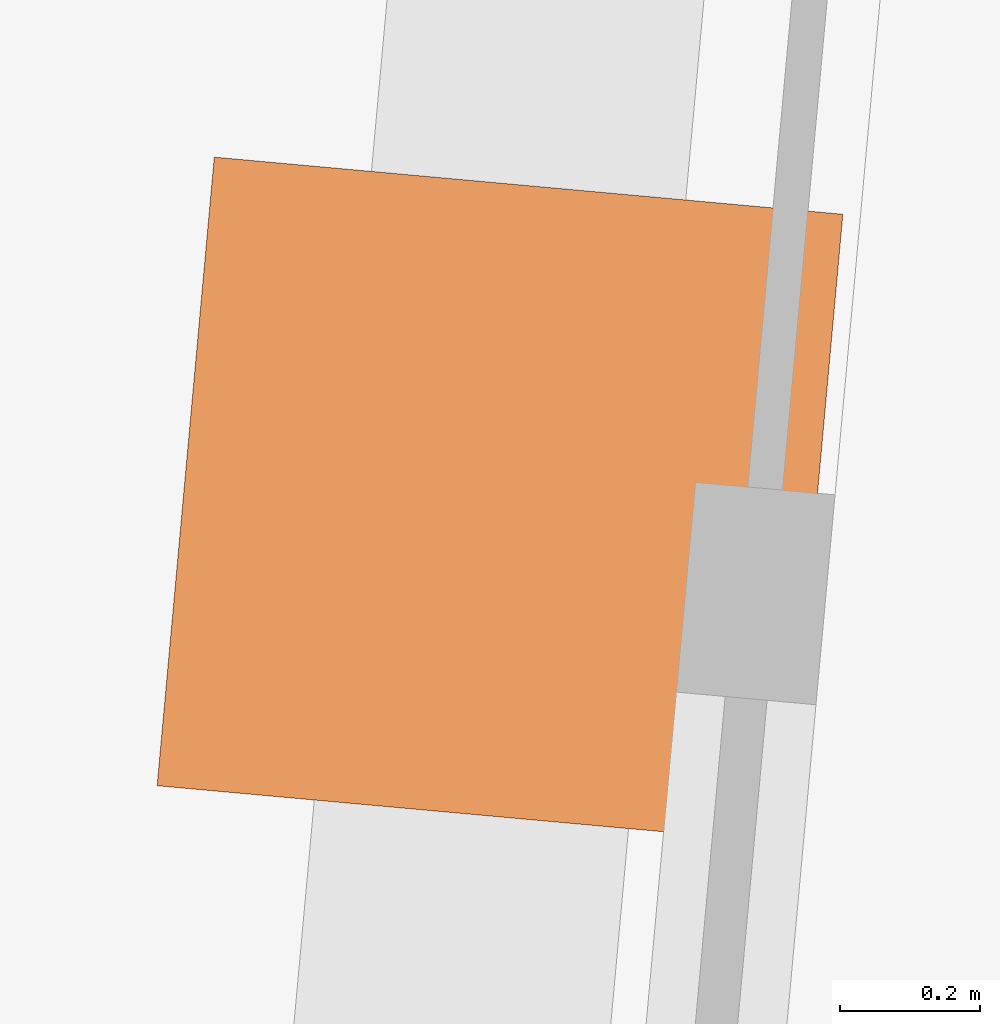
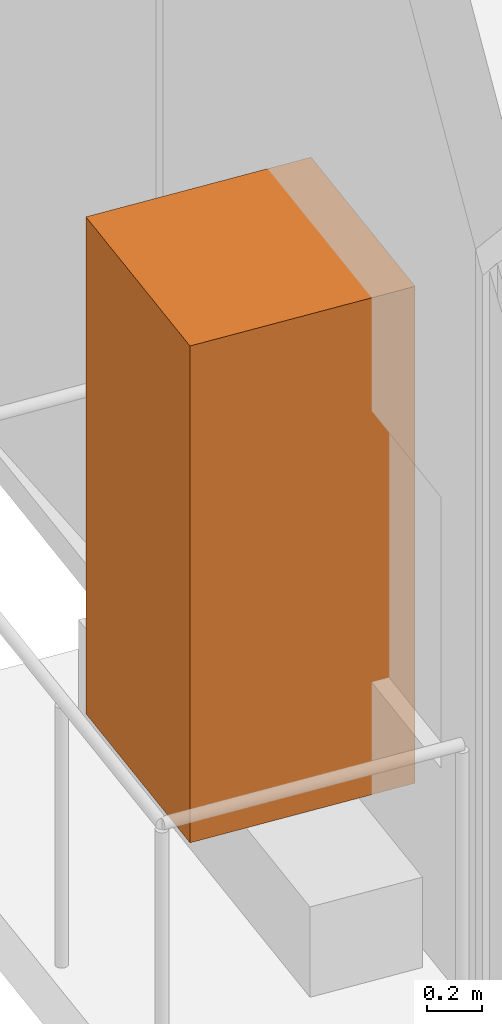
# One storey, part 14 of 14: 1 geographic element.
"""IFC4 building model written with IfcOpenShell, lengths in metres."""

from ifc_helpers import new_model, si_unit, direction, frame, origin, origin_2d, place, context, subcontext, project, spatial, rectangle, extrude, material, type_object, element, save


model = new_model("IFC4")

# Units and contexts
model_context = context("Model", 3, precision=1e-05, world=origin(), true_north=direction((0.0, 1.0)))
body_context = subcontext(model_context, "Body", "Model", "MODEL_VIEW")
ifc_project = project(units=[si_unit("LENGTHUNIT", "METRE"), si_unit("AREAUNIT", "SQUARE_METRE"), si_unit("VOLUMEUNIT", "CUBIC_METRE"), si_unit("PLANEANGLEUNIT", "RADIAN"), si_unit("MASSUNIT", "GRAM", prefix="KILO")], contexts=[model_context])

# Site, building, storey
site_placement = place(None, origin())
site = spatial("IfcSite", under=ifc_project, at=site_placement, CompositionType="ELEMENT")
building_placement = place(site_placement, origin())
building = spatial("IfcBuilding", under=site, at=building_placement, Name="Verdant Reach Tower", CompositionType="ELEMENT")
storey_placement = place(building_placement, frame((0.0, 0.0, 9.0)))
storey = spatial("IfcBuildingStorey", under=building, at=storey_placement, Name="L01", CompositionType="ELEMENT", Elevation=9.0)

# Geographic element
ifc_material = material(Name="Planting")
geographic_element_type = type_object("IfcGeographicElementType", Name="EN-TREE", PredefinedType="USERDEFINED", material=ifc_material)
geographic_element_placement = place(storey_placement, frame((-24.09814453125, 10.16796875, 0.39990234375), z_axis=(0.0, 0.0, 1.0), x_axis=(-0.090535746047, -0.995893206467, 0.0)))
element("IfcGeographicElement", 1, at=geographic_element_placement, inside=storey, type_object=geographic_element_type, Name="Balcony tree, Yellow trumpet tree (Handroanthus albus), L01 1", ObjectType="TREE", PredefinedType="USERDEFINED", context=body_context, shape_type="SweptSolid", body=[
    extrude(rectangle(XDim=0.89990234375, YDim=0.89990234375, at=origin_2d()), origin(), (0.0, 0.0, 1.0), 2.199951171875),
])

save(model, "model.ifc")
